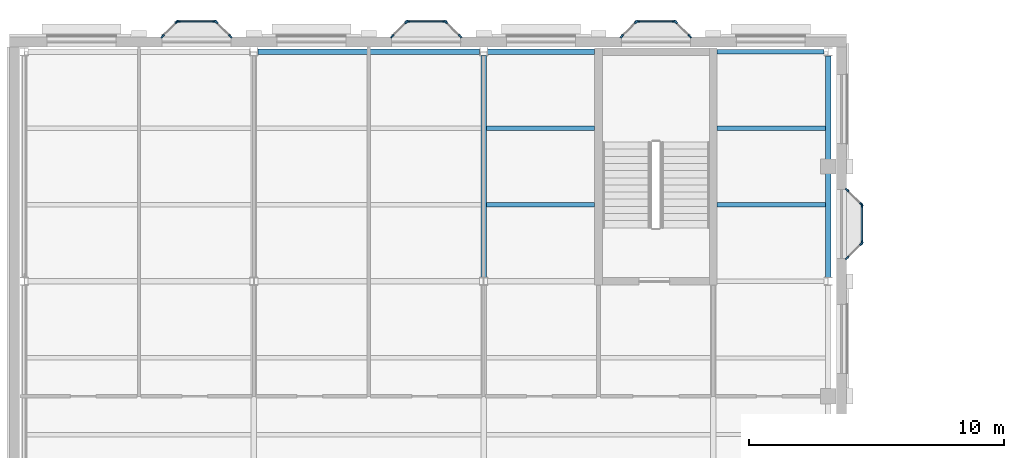
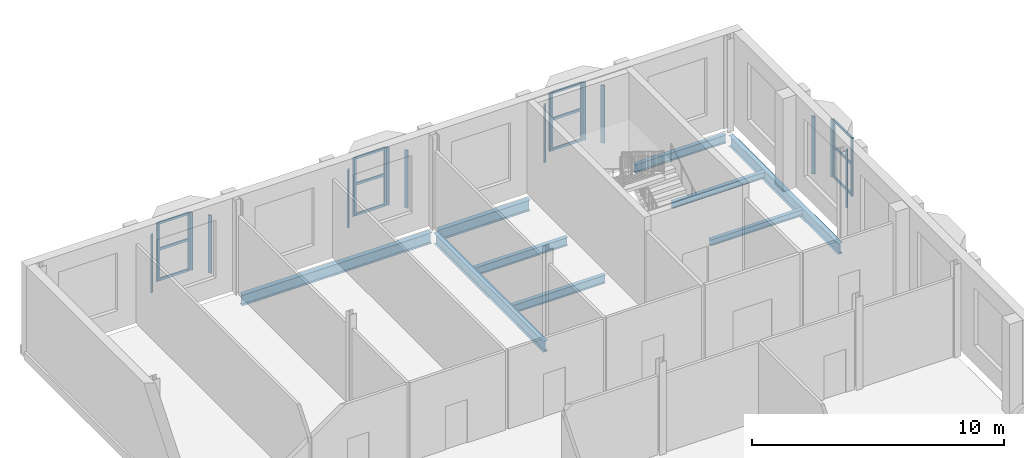
# One storey, part 15 of 59: 36 members, 9 beams, 12 elements without a shape of their own.
"""IFC4 building model written with IfcOpenShell, lengths in metres."""

from ifc_helpers import new_model, si_unit, direction, frame, origin, origin_2d, place, context, subcontext, project, spatial, rectangle, i_section, extrude, material, layer, layer_set, material_profile, profile_set, type_object, element, aggregate, save


model = new_model("IFC4")

# Units and contexts
model_context = context("Model", 3, precision=1e-05, world=origin(), true_north=direction((0.0, 1.0)))
body_context = subcontext(model_context, "Body", "Model", "MODEL_VIEW")
ifc_project = project(units=[si_unit("LENGTHUNIT", "METRE"), si_unit("AREAUNIT", "SQUARE_METRE"), si_unit("VOLUMEUNIT", "CUBIC_METRE"), si_unit("PLANEANGLEUNIT", "RADIAN"), si_unit("MASSUNIT", "GRAM", prefix="KILO")], contexts=[model_context])

# Site, building, storey
site_placement = place(None, origin())
site = spatial("IfcSite", under=ifc_project, at=site_placement, CompositionType="ELEMENT")
building_placement = place(site_placement, origin())
building = spatial("IfcBuilding", under=site, at=building_placement, Name="Hortulan Conservatory and Botanical Research Centre", CompositionType="ELEMENT")
storey_placement = place(building_placement, frame((0.0, 0.0, 10.5)))
storey = spatial("IfcBuildingStorey", under=building, at=storey_placement, Name="L02", CompositionType="ELEMENT", Elevation=10.5)

# Curtain wall, members
ifc_material_1 = material(Name="Bronze-finished aluminium", Category="aluminium")
ifc_layer = layer(ifc_material_1, 0.10009765625)
ifc_layer_set = layer_set([ifc_layer], Name="Oriel Curtain Wall 1350 module")
curtain_wall_type = type_object("IfcCurtainWallType", Name="Oriel Curtain Wall 1350 module", PredefinedType="NOTDEFINED", material=ifc_layer_set)
curtain_wall_1_placement = place(storey_placement, origin())
curtain_wall_1 = element("IfcCurtainWall", 1, at=curtain_wall_1_placement, inside=storey, type_object=curtain_wall_type, Name="Oriel glazing", PredefinedType="NOTDEFINED")
ifc_material_profile_1 = material_profile(ifc_material_1, rectangle(XDim=0.06005859375, YDim=0.159912109375, at=origin_2d()), Name="Bronze Mullion 60x160")
ifc_profile_set_1 = profile_set([ifc_material_profile_1], Name="Bronze-finished aluminium")
member_type_1 = type_object("IfcMemberType", Name="Bronze Mullion 60x160", PredefinedType="MULLION", material=ifc_profile_set_1)
member_1_placement = place(storey_placement, frame((5.421142578125, 72.606689453125, 0.89990234375), z_axis=(0.0, 0.0, 1.0), x_axis=(-0.707106781187, 0.707106781187, 0.0)))
member_1 = element("IfcMember", 2, at=member_1_placement, type_object=member_type_1, Name="CW2 mullion 1", PredefinedType="MULLION", context=body_context, shape_type="SweptSolid", body=[
    extrude(rectangle(XDim=0.06005859375, YDim=0.159912109375, at=origin_2d()), origin(), (0.0, 0.0, 1.0), 2.800048828125),
])
member_2_placement = place(storey_placement, frame((5.978759765625, 73.164306640625, 0.89990234375), z_axis=(0.0, 0.0, 1.0), x_axis=(-0.707106781187, 0.707106781187, 0.0)))
member_2 = element("IfcMember", 3, at=member_2_placement, type_object=member_type_1, Name="CW2 mullion 2", PredefinedType="MULLION", context=body_context, shape_type="SweptSolid", body=[
    extrude(rectangle(XDim=0.06005859375, YDim=0.159912109375, at=origin_2d()), origin(), (0.0, 0.0, 1.0), 2.800048828125),
])
aggregate(curtain_wall_1, [member_1, member_2])

curtain_wall_2_placement = place(storey_placement, origin())
curtain_wall_2 = element("IfcCurtainWall", 4, at=curtain_wall_2_placement, inside=storey, type_object=curtain_wall_type, Name="Oriel glazing", PredefinedType="NOTDEFINED")
member_3_placement = place(storey_placement, frame((6.030029296875, 73.185546875, 0.89990234375), z_axis=(0.0, 0.0, 1.0), x_axis=(0.0, 1.0, 0.0)))
member_3 = element("IfcMember", 5, at=member_3_placement, type_object=member_type_1, Name="CW2 mullion 1", PredefinedType="MULLION", context=body_context, shape_type="SweptSolid", body=[
    extrude(rectangle(XDim=0.06005859375, YDim=0.159912109375, at=origin_2d()), origin(), (0.0, 0.0, 1.0), 2.800048828125),
])
member_4_placement = place(storey_placement, frame((7.469970703125, 73.185546875, 0.89990234375), z_axis=(0.0, 0.0, 1.0), x_axis=(0.0, 1.0, 0.0)))
member_4 = element("IfcMember", 6, at=member_4_placement, type_object=member_type_1, Name="CW2 mullion 2", PredefinedType="MULLION", context=body_context, shape_type="SweptSolid", body=[
    extrude(rectangle(XDim=0.06005859375, YDim=0.159912109375, at=origin_2d()), origin(), (0.0, 0.0, 1.0), 2.800048828125),
])

curtain_wall_3_placement = place(storey_placement, origin())
curtain_wall_3 = element("IfcCurtainWall", 7, at=curtain_wall_3_placement, inside=storey, type_object=curtain_wall_type, Name="Oriel glazing", PredefinedType="NOTDEFINED")
member_5_placement = place(storey_placement, frame((7.521240234375, 73.164306640625, 0.89990234375), z_axis=(0.0, 0.0, 1.0), x_axis=(0.707106781187, 0.707106781187, 0.0)))
member_5 = element("IfcMember", 8, at=member_5_placement, type_object=member_type_1, Name="CW2 mullion 1", PredefinedType="MULLION", context=body_context, shape_type="SweptSolid", body=[
    extrude(rectangle(XDim=0.06005859375, YDim=0.159912109375, at=origin_2d()), origin(), (0.0, 0.0, 1.0), 2.800048828125),
])
member_6_placement = place(storey_placement, frame((8.078857421875, 72.606689453125, 0.89990234375), z_axis=(0.0, 0.0, 1.0), x_axis=(0.707106781187, 0.707106781187, 0.0)))
member_6 = element("IfcMember", 9, at=member_6_placement, type_object=member_type_1, Name="CW2 mullion 2", PredefinedType="MULLION", context=body_context, shape_type="SweptSolid", body=[
    extrude(rectangle(XDim=0.06005859375, YDim=0.159912109375, at=origin_2d()), origin(), (0.0, 0.0, 1.0), 2.800048828125),
])
aggregate(curtain_wall_3, [member_5, member_6])

curtain_wall_4_placement = place(storey_placement, origin())
curtain_wall_4 = element("IfcCurtainWall", 10, at=curtain_wall_4_placement, inside=storey, type_object=curtain_wall_type, Name="Oriel glazing", PredefinedType="NOTDEFINED")
member_7_placement = place(storey_placement, frame((14.421142578125, 72.606689453125, 0.89990234375), z_axis=(0.0, 0.0, 1.0), x_axis=(-0.707106781187, 0.707106781187, 0.0)))
member_7 = element("IfcMember", 11, at=member_7_placement, type_object=member_type_1, Name="CW2 mullion 1", PredefinedType="MULLION", context=body_context, shape_type="SweptSolid", body=[
    extrude(rectangle(XDim=0.06005859375, YDim=0.159912109375, at=origin_2d()), origin(), (0.0, 0.0, 1.0), 2.800048828125),
])
member_8_placement = place(storey_placement, frame((14.978759765625, 73.164306640625, 0.89990234375), z_axis=(0.0, 0.0, 1.0), x_axis=(-0.707106781187, 0.707106781187, 0.0)))
member_8 = element("IfcMember", 12, at=member_8_placement, type_object=member_type_1, Name="CW2 mullion 2", PredefinedType="MULLION", context=body_context, shape_type="SweptSolid", body=[
    extrude(rectangle(XDim=0.06005859375, YDim=0.159912109375, at=origin_2d()), origin(), (0.0, 0.0, 1.0), 2.800048828125),
])
aggregate(curtain_wall_4, [member_7, member_8])

curtain_wall_5_placement = place(storey_placement, origin())
curtain_wall_5 = element("IfcCurtainWall", 13, at=curtain_wall_5_placement, inside=storey, type_object=curtain_wall_type, Name="Oriel glazing", PredefinedType="NOTDEFINED")
member_9_placement = place(storey_placement, frame((15.030029296875, 73.185546875, 0.89990234375), z_axis=(0.0, 0.0, 1.0), x_axis=(0.0, 1.0, 0.0)))
member_9 = element("IfcMember", 14, at=member_9_placement, type_object=member_type_1, Name="CW2 mullion 1", PredefinedType="MULLION", context=body_context, shape_type="SweptSolid", body=[
    extrude(rectangle(XDim=0.06005859375, YDim=0.159912109375, at=origin_2d()), origin(), (0.0, 0.0, 1.0), 2.800048828125),
])
member_10_placement = place(storey_placement, frame((16.469970703125, 73.185546875, 0.89990234375), z_axis=(0.0, 0.0, 1.0), x_axis=(0.0, 1.0, 0.0)))
member_10 = element("IfcMember", 15, at=member_10_placement, type_object=member_type_1, Name="CW2 mullion 2", PredefinedType="MULLION", context=body_context, shape_type="SweptSolid", body=[
    extrude(rectangle(XDim=0.06005859375, YDim=0.159912109375, at=origin_2d()), origin(), (0.0, 0.0, 1.0), 2.800048828125),
])

curtain_wall_6_placement = place(storey_placement, origin())
curtain_wall_6 = element("IfcCurtainWall", 16, at=curtain_wall_6_placement, inside=storey, type_object=curtain_wall_type, Name="Oriel glazing", PredefinedType="NOTDEFINED")
member_11_placement = place(storey_placement, frame((16.521240234375, 73.164306640625, 0.89990234375), z_axis=(0.0, 0.0, 1.0), x_axis=(0.707106781187, 0.707106781187, 0.0)))
member_11 = element("IfcMember", 17, at=member_11_placement, type_object=member_type_1, Name="CW2 mullion 1", PredefinedType="MULLION", context=body_context, shape_type="SweptSolid", body=[
    extrude(rectangle(XDim=0.06005859375, YDim=0.159912109375, at=origin_2d()), origin(), (0.0, 0.0, 1.0), 2.800048828125),
])
member_12_placement = place(storey_placement, frame((17.078857421875, 72.606689453125, 0.89990234375), z_axis=(0.0, 0.0, 1.0), x_axis=(0.707106781187, 0.707106781187, 0.0)))
member_12 = element("IfcMember", 18, at=member_12_placement, type_object=member_type_1, Name="CW2 mullion 2", PredefinedType="MULLION", context=body_context, shape_type="SweptSolid", body=[
    extrude(rectangle(XDim=0.06005859375, YDim=0.159912109375, at=origin_2d()), origin(), (0.0, 0.0, 1.0), 2.800048828125),
])
aggregate(curtain_wall_6, [member_11, member_12])

curtain_wall_7_placement = place(storey_placement, origin())
curtain_wall_7 = element("IfcCurtainWall", 19, at=curtain_wall_7_placement, inside=storey, type_object=curtain_wall_type, Name="Oriel glazing", PredefinedType="NOTDEFINED")
member_13_placement = place(storey_placement, frame((23.421142578125, 72.606689453125, 0.89990234375), z_axis=(0.0, 0.0, 1.0), x_axis=(-0.707106781187, 0.707106781187, 0.0)))
member_13 = element("IfcMember", 20, at=member_13_placement, type_object=member_type_1, Name="CW2 mullion 1", PredefinedType="MULLION", context=body_context, shape_type="SweptSolid", body=[
    extrude(rectangle(XDim=0.06005859375, YDim=0.159912109375, at=origin_2d()), origin(), (0.0, 0.0, 1.0), 2.800048828125),
])
member_14_placement = place(storey_placement, frame((23.978759765625, 73.164306640625, 0.89990234375), z_axis=(0.0, 0.0, 1.0), x_axis=(-0.707106781187, 0.707106781187, 0.0)))
member_14 = element("IfcMember", 21, at=member_14_placement, type_object=member_type_1, Name="CW2 mullion 2", PredefinedType="MULLION", context=body_context, shape_type="SweptSolid", body=[
    extrude(rectangle(XDim=0.06005859375, YDim=0.159912109375, at=origin_2d()), origin(), (0.0, 0.0, 1.0), 2.800048828125),
])
aggregate(curtain_wall_7, [member_13, member_14])

curtain_wall_8_placement = place(storey_placement, origin())
curtain_wall_8 = element("IfcCurtainWall", 22, at=curtain_wall_8_placement, inside=storey, type_object=curtain_wall_type, Name="Oriel glazing", PredefinedType="NOTDEFINED")
member_15_placement = place(storey_placement, frame((24.030029296875, 73.185546875, 0.89990234375), z_axis=(0.0, 0.0, 1.0), x_axis=(0.0, 1.0, 0.0)))
member_15 = element("IfcMember", 23, at=member_15_placement, type_object=member_type_1, Name="CW2 mullion 1", PredefinedType="MULLION", context=body_context, shape_type="SweptSolid", body=[
    extrude(rectangle(XDim=0.06005859375, YDim=0.159912109375, at=origin_2d()), origin(), (0.0, 0.0, 1.0), 2.800048828125),
])
member_16_placement = place(storey_placement, frame((25.469970703125, 73.185546875, 0.89990234375), z_axis=(0.0, 0.0, 1.0), x_axis=(0.0, 1.0, 0.0)))
member_16 = element("IfcMember", 24, at=member_16_placement, type_object=member_type_1, Name="CW2 mullion 2", PredefinedType="MULLION", context=body_context, shape_type="SweptSolid", body=[
    extrude(rectangle(XDim=0.06005859375, YDim=0.159912109375, at=origin_2d()), origin(), (0.0, 0.0, 1.0), 2.800048828125),
])

curtain_wall_9_placement = place(storey_placement, origin())
curtain_wall_9 = element("IfcCurtainWall", 25, at=curtain_wall_9_placement, inside=storey, type_object=curtain_wall_type, Name="Oriel glazing", PredefinedType="NOTDEFINED")
member_17_placement = place(storey_placement, frame((25.521240234375, 73.164306640625, 0.89990234375), z_axis=(0.0, 0.0, 1.0), x_axis=(0.707106781187, 0.707106781187, 0.0)))
member_17 = element("IfcMember", 26, at=member_17_placement, type_object=member_type_1, Name="CW2 mullion 1", PredefinedType="MULLION", context=body_context, shape_type="SweptSolid", body=[
    extrude(rectangle(XDim=0.06005859375, YDim=0.159912109375, at=origin_2d()), origin(), (0.0, 0.0, 1.0), 2.800048828125),
])
member_18_placement = place(storey_placement, frame((26.078857421875, 72.606689453125, 0.89990234375), z_axis=(0.0, 0.0, 1.0), x_axis=(0.707106781187, 0.707106781187, 0.0)))
member_18 = element("IfcMember", 27, at=member_18_placement, type_object=member_type_1, Name="CW2 mullion 2", PredefinedType="MULLION", context=body_context, shape_type="SweptSolid", body=[
    extrude(rectangle(XDim=0.06005859375, YDim=0.159912109375, at=origin_2d()), origin(), (0.0, 0.0, 1.0), 2.800048828125),
])
aggregate(curtain_wall_9, [member_17, member_18])

curtain_wall_10_placement = place(storey_placement, origin())
curtain_wall_10 = element("IfcCurtainWall", 28, at=curtain_wall_10_placement, inside=storey, type_object=curtain_wall_type, Name="Oriel glazing", PredefinedType="NOTDEFINED")
member_19_placement = place(storey_placement, frame((32.24609375, 66.578857421875, 0.89990234375), z_axis=(0.0, 0.0, 1.0), x_axis=(0.707106781187, 0.707106781187, 0.0)))
member_19 = element("IfcMember", 29, at=member_19_placement, type_object=member_type_1, Name="CW2 mullion 1", PredefinedType="MULLION", context=body_context, shape_type="SweptSolid", body=[
    extrude(rectangle(XDim=0.06005859375, YDim=0.159912109375, at=origin_2d()), origin(), (0.0, 0.0, 1.0), 2.800048828125),
])
member_20_placement = place(storey_placement, frame((32.8037109375, 66.021240234375, 0.89990234375), z_axis=(0.0, 0.0, 1.0), x_axis=(0.707106781187, 0.707106781187, 0.0)))
member_20 = element("IfcMember", 30, at=member_20_placement, type_object=member_type_1, Name="CW2 mullion 2", PredefinedType="MULLION", context=body_context, shape_type="SweptSolid", body=[
    extrude(rectangle(XDim=0.06005859375, YDim=0.159912109375, at=origin_2d()), origin(), (0.0, 0.0, 1.0), 2.800048828125),
])
aggregate(curtain_wall_10, [member_19, member_20])

curtain_wall_11_placement = place(storey_placement, origin())
curtain_wall_11 = element("IfcCurtainWall", 31, at=curtain_wall_11_placement, inside=storey, type_object=curtain_wall_type, Name="Oriel glazing", PredefinedType="NOTDEFINED")
member_21_placement = place(storey_placement, frame((32.824951171875, 65.969970703125, 0.89990234375), z_axis=(0.0, 0.0, 1.0), x_axis=(1.0, 0.0, 0.0)))
member_21 = element("IfcMember", 32, at=member_21_placement, type_object=member_type_1, Name="CW2 mullion 1", PredefinedType="MULLION", context=body_context, shape_type="SweptSolid", body=[
    extrude(rectangle(XDim=0.06005859375, YDim=0.159912109375, at=origin_2d()), origin(), (0.0, 0.0, 1.0), 2.800048828125),
])
member_22_placement = place(storey_placement, frame((32.824951171875, 64.530029296875, 0.89990234375), z_axis=(0.0, 0.0, 1.0), x_axis=(1.0, 0.0, 0.0)))
member_22 = element("IfcMember", 33, at=member_22_placement, type_object=member_type_1, Name="CW2 mullion 2", PredefinedType="MULLION", context=body_context, shape_type="SweptSolid", body=[
    extrude(rectangle(XDim=0.06005859375, YDim=0.159912109375, at=origin_2d()), origin(), (0.0, 0.0, 1.0), 2.800048828125),
])

curtain_wall_12_placement = place(storey_placement, origin())
curtain_wall_12 = element("IfcCurtainWall", 34, at=curtain_wall_12_placement, inside=storey, type_object=curtain_wall_type, Name="Oriel glazing", PredefinedType="NOTDEFINED")
member_23_placement = place(storey_placement, frame((32.8037109375, 64.478759765625, 0.89990234375), z_axis=(0.0, 0.0, 1.0), x_axis=(0.707106781187, -0.707106781187, 0.0)))
member_23 = element("IfcMember", 35, at=member_23_placement, type_object=member_type_1, Name="CW2 mullion 1", PredefinedType="MULLION", context=body_context, shape_type="SweptSolid", body=[
    extrude(rectangle(XDim=0.06005859375, YDim=0.159912109375, at=origin_2d()), origin(), (0.0, 0.0, 1.0), 2.800048828125),
])
member_24_placement = place(storey_placement, frame((32.24609375, 63.921142578125, 0.89990234375), z_axis=(0.0, 0.0, 1.0), x_axis=(0.707106781187, -0.707106781187, 0.0)))
member_24 = element("IfcMember", 36, at=member_24_placement, type_object=member_type_1, Name="CW2 mullion 2", PredefinedType="MULLION", context=body_context, shape_type="SweptSolid", body=[
    extrude(rectangle(XDim=0.06005859375, YDim=0.159912109375, at=origin_2d()), origin(), (0.0, 0.0, 1.0), 2.800048828125),
])
aggregate(curtain_wall_12, [member_23, member_24])

# Member
ifc_material_profile_2 = material_profile(ifc_material_1, rectangle(XDim=0.06005859375, YDim=0.1201171875, at=origin_2d()), Name="Bronze Transom 60x120")
ifc_profile_set_2 = profile_set([ifc_material_profile_2], Name="Bronze-finished aluminium")
member_type_2 = type_object("IfcMemberType", Name="Bronze Transom 60x120", PredefinedType="USERDEFINED", material=ifc_profile_set_2)
member_25_placement = place(storey_placement, frame((6.06005859375, 73.185546875, 0.929931640625), z_axis=(1.0, 0.0, 0.0), x_axis=(0.0, 1.0, 0.0)))
member_25 = element("IfcMember", 37, at=member_25_placement, type_object=member_type_2, Name="CW2 transom 1.1", ObjectType="TRANSOM", PredefinedType="USERDEFINED", context=body_context, shape_type="SweptSolid", body=[
    extrude(rectangle(XDim=0.06005859375, YDim=0.1201171875, at=origin_2d()), origin(), (0.0, 0.0, 1.0), 1.3798828125),
])

member_26_placement = place(storey_placement, frame((6.06005859375, 73.185546875, 2.39990234375), z_axis=(1.0, 0.0, 0.0), x_axis=(0.0, 1.0, 0.0)))
member_26 = element("IfcMember", 38, at=member_26_placement, type_object=member_type_2, Name="CW2 transom 1.2", ObjectType="TRANSOM", PredefinedType="USERDEFINED", context=body_context, shape_type="SweptSolid", body=[
    extrude(rectangle(XDim=0.06005859375, YDim=0.1201171875, at=origin_2d()), origin(), (0.0, 0.0, 1.0), 1.3798828125),
])

member_27_placement = place(storey_placement, frame((6.06005859375, 73.185546875, 3.669921875), z_axis=(1.0, 0.0, 0.0), x_axis=(0.0, 1.0, 0.0)))
member_27 = element("IfcMember", 39, at=member_27_placement, type_object=member_type_2, Name="CW2 transom 1.3", ObjectType="TRANSOM", PredefinedType="USERDEFINED", context=body_context, shape_type="SweptSolid", body=[
    extrude(rectangle(XDim=0.06005859375, YDim=0.1201171875, at=origin_2d()), origin(), (0.0, 0.0, 1.0), 1.3798828125),
])

aggregate(curtain_wall_2, [member_3, member_4, member_25, member_26, member_27])

member_28_placement = place(storey_placement, frame((15.06005859375, 73.185546875, 0.929931640625), z_axis=(1.0, 0.0, 0.0), x_axis=(0.0, 1.0, 0.0)))
member_28 = element("IfcMember", 40, at=member_28_placement, type_object=member_type_2, Name="CW2 transom 1.1", ObjectType="TRANSOM", PredefinedType="USERDEFINED", context=body_context, shape_type="SweptSolid", body=[
    extrude(rectangle(XDim=0.06005859375, YDim=0.1201171875, at=origin_2d()), origin(), (0.0, 0.0, 1.0), 1.3798828125),
])

member_29_placement = place(storey_placement, frame((15.06005859375, 73.185546875, 2.39990234375), z_axis=(1.0, 0.0, 0.0), x_axis=(0.0, 1.0, 0.0)))
member_29 = element("IfcMember", 41, at=member_29_placement, type_object=member_type_2, Name="CW2 transom 1.2", ObjectType="TRANSOM", PredefinedType="USERDEFINED", context=body_context, shape_type="SweptSolid", body=[
    extrude(rectangle(XDim=0.06005859375, YDim=0.1201171875, at=origin_2d()), origin(), (0.0, 0.0, 1.0), 1.3798828125),
])

member_30_placement = place(storey_placement, frame((15.06005859375, 73.185546875, 3.669921875), z_axis=(1.0, 0.0, 0.0), x_axis=(0.0, 1.0, 0.0)))
member_30 = element("IfcMember", 42, at=member_30_placement, type_object=member_type_2, Name="CW2 transom 1.3", ObjectType="TRANSOM", PredefinedType="USERDEFINED", context=body_context, shape_type="SweptSolid", body=[
    extrude(rectangle(XDim=0.06005859375, YDim=0.1201171875, at=origin_2d()), origin(), (0.0, 0.0, 1.0), 1.3798828125),
])

aggregate(curtain_wall_5, [member_9, member_10, member_28, member_29, member_30])

member_31_placement = place(storey_placement, frame((24.06005859375, 73.185546875, 0.929931640625), z_axis=(1.0, 0.0, 0.0), x_axis=(0.0, 1.0, 0.0)))
member_31 = element("IfcMember", 43, at=member_31_placement, type_object=member_type_2, Name="CW2 transom 1.1", ObjectType="TRANSOM", PredefinedType="USERDEFINED", context=body_context, shape_type="SweptSolid", body=[
    extrude(rectangle(XDim=0.06005859375, YDim=0.1201171875, at=origin_2d()), origin(), (0.0, 0.0, 1.0), 1.3798828125),
])

member_32_placement = place(storey_placement, frame((24.06005859375, 73.185546875, 2.39990234375), z_axis=(1.0, 0.0, 0.0), x_axis=(0.0, 1.0, 0.0)))
member_32 = element("IfcMember", 44, at=member_32_placement, type_object=member_type_2, Name="CW2 transom 1.2", ObjectType="TRANSOM", PredefinedType="USERDEFINED", context=body_context, shape_type="SweptSolid", body=[
    extrude(rectangle(XDim=0.06005859375, YDim=0.1201171875, at=origin_2d()), origin(), (0.0, 0.0, 1.0), 1.3798828125),
])

member_33_placement = place(storey_placement, frame((24.06005859375, 73.185546875, 3.669921875), z_axis=(1.0, 0.0, 0.0), x_axis=(0.0, 1.0, 0.0)))
member_33 = element("IfcMember", 45, at=member_33_placement, type_object=member_type_2, Name="CW2 transom 1.3", ObjectType="TRANSOM", PredefinedType="USERDEFINED", context=body_context, shape_type="SweptSolid", body=[
    extrude(rectangle(XDim=0.06005859375, YDim=0.1201171875, at=origin_2d()), origin(), (0.0, 0.0, 1.0), 1.3798828125),
])

aggregate(curtain_wall_8, [member_15, member_16, member_31, member_32, member_33])

member_34_placement = place(storey_placement, frame((32.824951171875, 65.93994140625, 0.929931640625), z_axis=(0.0, -1.0, 0.0), x_axis=(1.0, 0.0, 0.0)))
member_34 = element("IfcMember", 46, at=member_34_placement, type_object=member_type_2, Name="CW2 transom 1.1", ObjectType="TRANSOM", PredefinedType="USERDEFINED", context=body_context, shape_type="SweptSolid", body=[
    extrude(rectangle(XDim=0.06005859375, YDim=0.1201171875, at=origin_2d()), origin(), (0.0, 0.0, 1.0), 1.3798828125),
])

member_35_placement = place(storey_placement, frame((32.824951171875, 65.93994140625, 2.39990234375), z_axis=(0.0, -1.0, 0.0), x_axis=(1.0, 0.0, 0.0)))
member_35 = element("IfcMember", 47, at=member_35_placement, type_object=member_type_2, Name="CW2 transom 1.2", ObjectType="TRANSOM", PredefinedType="USERDEFINED", context=body_context, shape_type="SweptSolid", body=[
    extrude(rectangle(XDim=0.06005859375, YDim=0.1201171875, at=origin_2d()), origin(), (0.0, 0.0, 1.0), 1.3798828125),
])

member_36_placement = place(storey_placement, frame((32.824951171875, 65.93994140625, 3.669921875), z_axis=(0.0, -1.0, 0.0), x_axis=(1.0, 0.0, 0.0)))
member_36 = element("IfcMember", 48, at=member_36_placement, type_object=member_type_2, Name="CW2 transom 1.3", ObjectType="TRANSOM", PredefinedType="USERDEFINED", context=body_context, shape_type="SweptSolid", body=[
    extrude(rectangle(XDim=0.06005859375, YDim=0.1201171875, at=origin_2d()), origin(), (0.0, 0.0, 1.0), 1.3798828125),
])

aggregate(curtain_wall_11, [member_21, member_22, member_34, member_35, member_36])

# Beams
ifc_material_2 = material(Name="Steel Grade 300PLUS (AS/NZS 3679.1, 280 MPa minimum yield)", Category="steel")
ifc_material_profile_3 = material_profile(ifc_material_2, i_section(OverallWidth=0.177978515625, OverallDepth=0.403076171875, WebThickness=0.007568359375, FlangeThickness=0.010986328125, FilletRadius=0.011474609375, at=origin_2d()), Name="410UB53.7")
ifc_profile_set_3 = profile_set([ifc_material_profile_3], Name="Steel Grade 300PLUS (AS/NZS 3679.1, 280 MPa minimum yield)")
beam_type_1 = type_object("IfcBeamType", Name="Primary Beam 410UB53.7", PredefinedType="BEAM", material=ifc_profile_set_3)
beam_1_placement = place(storey_placement, frame((27.14990234375, 72.0, -0.33154296875), z_axis=(1.0, 0.0, 0.0), x_axis=(0.0, 1.0, 0.0)))
element("IfcBeam", 49, at=beam_1_placement, inside=storey, type_object=beam_type_1, Name="410UB53.7 girder", PredefinedType="BEAM", context=body_context, shape_type="SweptSolid", body=[
    extrude(i_section(OverallWidth=0.177978515625, OverallDepth=0.403076171875, WebThickness=0.007568359375, FlangeThickness=0.010986328125, FilletRadius=0.011474609375, at=origin_2d()), origin(), (0.0, 0.0, 1.0), 4.195556640625),
])
ifc_material_profile_4 = material_profile(ifc_material_2, i_section(OverallWidth=0.208984375, OverallDepth=0.528076171875, WebThickness=0.009521484375, FlangeThickness=0.01318359375, FilletRadius=0.013916015625, at=origin_2d()), Name="530UB82.0")
ifc_profile_set_4 = profile_set([ifc_material_profile_4], Name="Steel Grade 300PLUS (AS/NZS 3679.1, 280 MPa minimum yield)")
beam_type_2 = type_object("IfcBeamType", Name="Primary Beam 530UB82.0", PredefinedType="BEAM", material=ifc_profile_set_4)
beam_2_placement = place(storey_placement, frame((9.160400390625, 72.0, -0.39404296875), z_axis=(1.0, 0.0, 0.0), x_axis=(0.0, 1.0, 0.0)))
element("IfcBeam", 50, at=beam_2_placement, inside=storey, type_object=beam_type_2, Name="530UB82.0 girder", PredefinedType="BEAM", context=body_context, shape_type="SweptSolid", body=[
    extrude(i_section(OverallWidth=0.208984375, OverallDepth=0.528076171875, WebThickness=0.009521484375, FlangeThickness=0.01318359375, FilletRadius=0.013916015625, at=origin_2d()), origin(), (0.0, 0.0, 1.0), 8.67919921875),
])
beam_3_placement = place(storey_placement, frame((18.160400390625, 72.0, -0.39404296875), z_axis=(1.0, 0.0, 0.0), x_axis=(0.0, 1.0, 0.0)))
element("IfcBeam", 51, at=beam_3_placement, inside=storey, type_object=beam_type_2, Name="530UB82.0 girder", PredefinedType="BEAM", context=body_context, shape_type="SweptSolid", body=[
    extrude(i_section(OverallWidth=0.208984375, OverallDepth=0.528076171875, WebThickness=0.009521484375, FlangeThickness=0.01318359375, FilletRadius=0.013916015625, at=origin_2d()), origin(), (0.0, 0.0, 1.0), 4.189697265625),
])
beam_4_placement = place(storey_placement, frame((31.5, 63.160400390625, -0.39404296875), z_axis=(0.0, 1.0, 0.0), x_axis=(-1.0, 0.0, 0.0)))
element("IfcBeam", 52, at=beam_4_placement, inside=storey, type_object=beam_type_2, Name="530UB82.0 girder", PredefinedType="BEAM", context=body_context, shape_type="SweptSolid", body=[
    extrude(i_section(OverallWidth=0.208984375, OverallDepth=0.528076171875, WebThickness=0.009521484375, FlangeThickness=0.01318359375, FilletRadius=0.013916015625, at=origin_2d()), origin(), (0.0, 0.0, 1.0), 8.67919921875),
])
ifc_material_profile_5 = material_profile(ifc_material_2, i_section(OverallWidth=0.208984375, OverallDepth=0.532958984375, WebThickness=0.01025390625, FlangeThickness=0.015625, FilletRadius=0.013916015625, at=origin_2d()), Name="530UB92.4")
ifc_profile_set_5 = profile_set([ifc_material_profile_5], Name="Steel Grade 300PLUS (AS/NZS 3679.1, 280 MPa minimum yield)")
beam_type_3 = type_object("IfcBeamType", Name="Primary Beam 530UB92.4", PredefinedType="BEAM", material=ifc_profile_set_5)
beam_5_placement = place(storey_placement, frame((18.0, 63.160400390625, -0.396484375), z_axis=(0.0, 1.0, 0.0), x_axis=(-1.0, 0.0, 0.0)))
element("IfcBeam", 53, at=beam_5_placement, inside=storey, type_object=beam_type_3, Name="530UB92.4 girder", PredefinedType="BEAM", context=body_context, shape_type="SweptSolid", body=[
    extrude(i_section(OverallWidth=0.208984375, OverallDepth=0.532958984375, WebThickness=0.01025390625, FlangeThickness=0.015625, FilletRadius=0.013916015625, at=origin_2d()), origin(), (0.0, 0.0, 1.0), 8.68505859375),
])
ifc_material_profile_6 = material_profile(ifc_material_2, i_section(OverallWidth=0.1650390625, OverallDepth=0.303955078125, WebThickness=0.006103515625, FlangeThickness=0.01025390625, FilletRadius=0.011474609375, at=origin_2d()), Name="310UB40.4")
ifc_profile_set_6 = profile_set([ifc_material_profile_6], Name="Steel Grade 300PLUS (AS/NZS 3679.1, 280 MPa minimum yield)")
beam_type_4 = type_object("IfcBeamType", Name="Secondary Beam 310UB40.4", PredefinedType="JOIST", material=ifc_profile_set_6)
for number, where, z_axis, x_axis, name in (
    (54, (27.14990234375, 66.0, -0.281982421875), (1.0, 0.0, 0.0), (0.0, 1.0, 0.0), "310UB40.4 secondary beam"),
    (55, (27.14990234375, 69.0, -0.281982421875), (1.0, 0.0, 0.0), (0.0, 1.0, 0.0), "310UB40.4 secondary beam"),
):
    element("IfcBeam", number, at=place(storey_placement, frame(where, z_axis=z_axis, x_axis=x_axis)), inside=storey, type_object=beam_type_4, Name=name, PredefinedType="JOIST", context=body_context, shape_type="SweptSolid", body=[
        extrude(i_section(OverallWidth=0.1650390625, OverallDepth=0.303955078125, WebThickness=0.006103515625, FlangeThickness=0.01025390625, FilletRadius=0.011474609375, at=origin_2d()), origin(), (0.0, 0.0, 1.0), 4.24560546875),
    ])
ifc_material_profile_7 = material_profile(ifc_material_2, i_section(OverallWidth=0.177978515625, OverallDepth=0.406005859375, WebThickness=0.0078125, FlangeThickness=0.0126953125, FilletRadius=0.011474609375, at=origin_2d()), Name="410UB59.7")
ifc_profile_set_7 = profile_set([ifc_material_profile_7], Name="Steel Grade 300PLUS (AS/NZS 3679.1, 280 MPa minimum yield)")
beam_type_5 = type_object("IfcBeamType", Name="Secondary Beam 410UB59.7", PredefinedType="JOIST", material=ifc_profile_set_7)
for number, where, z_axis, x_axis, name in (
    (56, (18.1044921875, 66.0, -0.3330078125), (1.0, 0.0, 0.0), (0.0, 1.0, 0.0), "410UB59.7 secondary beam"),
    (57, (18.1044921875, 69.0, -0.3330078125), (1.0, 0.0, 0.0), (0.0, 1.0, 0.0), "410UB59.7 secondary beam"),
):
    element("IfcBeam", number, at=place(storey_placement, frame(where, z_axis=z_axis, x_axis=x_axis)), inside=storey, type_object=beam_type_5, Name=name, PredefinedType="JOIST", context=body_context, shape_type="SweptSolid", body=[
        extrude(i_section(OverallWidth=0.177978515625, OverallDepth=0.406005859375, WebThickness=0.0078125, FlangeThickness=0.0126953125, FilletRadius=0.011474609375, at=origin_2d()), origin(), (0.0, 0.0, 1.0), 4.24560546875),
    ])

save(model, "model.ifc")
